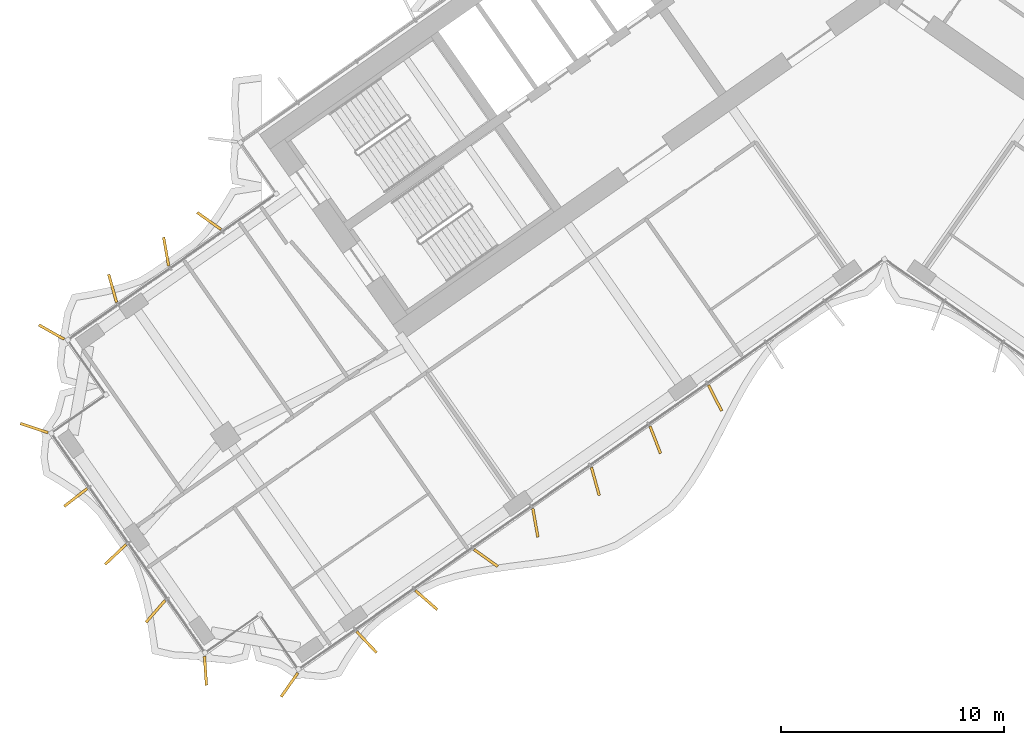
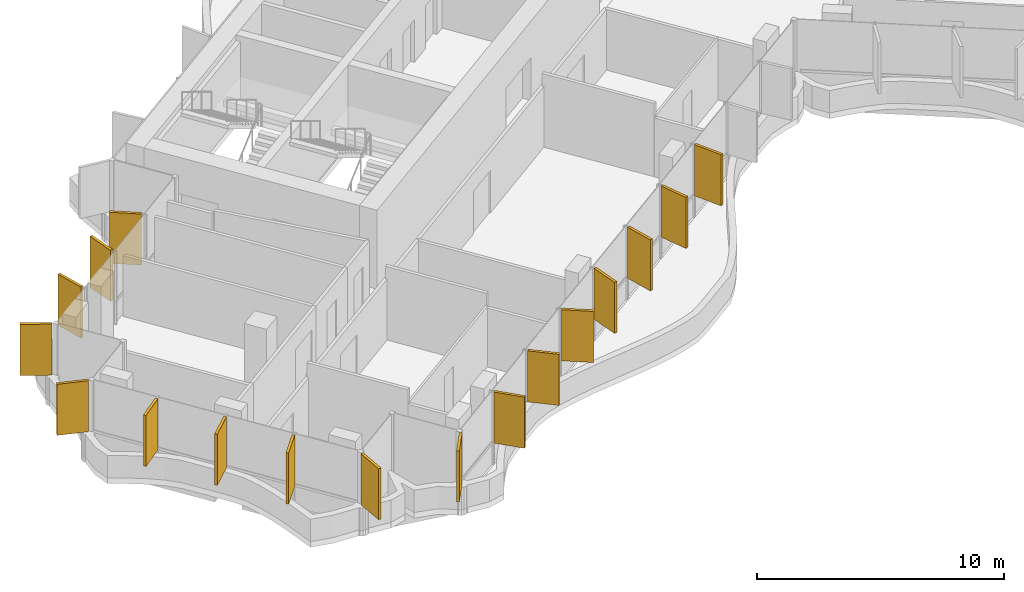
# One storey, part 19 of 23: 17 shading devices.
"""IFC4 building model written with IfcOpenShell, lengths in metres."""

import ifcopenshell
import ifcopenshell.guid

model = None  # the IFC model being written
_history = None  # IfcOwnerHistory: only IFC2X3 demands one
_inside = {}  # id of a spatial element -> (the spatial element, [elements in it])
_under = {}  # id of a project, library or spatial element -> (it, [spatial elements below it])
_declared = {}  # id of a project -> (the project, [libraries it declares])
_typed = {}  # id of a type object -> (the type object, [elements of that type])
_made_of = {}  # id of a material, layer set ... -> (it, [elements and type objects made of it])


def new_model(schema):
    """Start an empty IFC model of exactly this schema.

    Asked for "IFC4X3", IfcOpenShell would pick the latest addendum, in which some entities
    have other attributes; the version numbers below select the first issue.
    IFC2X3 requires an IfcOwnerHistory on every rooted entity: one is made here for all.
    """
    global model, _history
    if schema == "IFC4X3":
        model = ifcopenshell.file(schema_version=(4, 3, 0, 0))
    else:
        model = ifcopenshell.file(schema=schema)
    _inside.clear()
    _under.clear()
    _declared.clear()
    _typed.clear()
    _made_of.clear()
    _history = None
    if model.schema == "IFC2X3":
        org = make("IfcOrganization", Name="unknown")
        user = make(
            "IfcPersonAndOrganization",
            ThePerson=make("IfcPerson", FamilyName="unknown"),
            TheOrganization=org,
        )
        app = make(
            "IfcApplication",
            ApplicationDeveloper=org,
            Version="unknown",
            ApplicationFullName="unknown",
            ApplicationIdentifier="unknown",
        )
        _history = make(
            "IfcOwnerHistory",
            OwningUser=user,
            OwningApplication=app,
            ChangeAction="ADDED",
            CreationDate=0,
        )
    return model


def make(cls, **values):
    """One entity of the class cls with the attributes given. An attribute that is None is left unset."""
    return model.create_entity(
        cls, **{name: value for name, value in values.items() if value is not None}
    )


def rooted(cls, **values):
    """An entity with a GlobalId (a new one), such as an element, a storey or a relation."""
    return make(cls, GlobalId=ifcopenshell.guid.new(), OwnerHistory=_history, **values)


def si_unit(unit_type, name, prefix=None):
    """IfcSIUnit, for example si_unit("LENGTHUNIT", "METRE", prefix="MILLI")."""
    return make("IfcSIUnit", UnitType=unit_type, Prefix=prefix, Name=name)


def assignment(units):
    """IfcUnitAssignment: the units of a project."""
    return None if units is None else make("IfcUnitAssignment", Units=units)


def point(xyz):
    """IfcCartesianPoint."""
    return None if xyz is None else make("IfcCartesianPoint", Coordinates=xyz)


def direction(xyz):
    """IfcDirection."""
    return None if xyz is None else make("IfcDirection", DirectionRatios=xyz)


def frame(location, z_axis=None, x_axis=None):
    """IfcAxis2Placement3D, a coordinate frame: its origin and axes. An axis left out is left unset."""
    return make(
        "IfcAxis2Placement3D",
        Location=point(location),
        Axis=direction(z_axis),
        RefDirection=direction(x_axis),
    )


def frame_2d(location, x_axis=None):
    """IfcAxis2Placement2D, a coordinate frame in the plane: its origin and x axis."""
    return make(
        "IfcAxis2Placement2D", Location=point(location), RefDirection=direction(x_axis)
    )


def origin():
    """The frame at (0, 0, 0) with its axes left unset."""
    return frame((0.0, 0.0, 0.0))


def origin_2d():
    """The frame at (0, 0) in the plane with its x axis left unset."""
    return frame_2d((0.0, 0.0))


def place(relative_to, where):
    """IfcLocalPlacement: puts the frame where relative to a parent placement (None: the world)."""
    return make(
        "IfcLocalPlacement", PlacementRelTo=relative_to, RelativePlacement=where
    )


def context(
    kind, dimensions, precision=None, world=None, true_north=None, identifier=None
):
    """IfcGeometricRepresentationContext, for example the 3D "Model" context."""
    return make(
        "IfcGeometricRepresentationContext",
        ContextIdentifier=identifier,
        ContextType=kind,
        CoordinateSpaceDimension=dimensions,
        Precision=precision,
        WorldCoordinateSystem=world,
        TrueNorth=true_north,
    )


def subcontext(parent, identifier, kind, view, scale=None):
    """IfcGeometricRepresentationSubContext, for example "Body" below "Model"."""
    return make(
        "IfcGeometricRepresentationSubContext",
        ContextIdentifier=identifier,
        ContextType=kind,
        ParentContext=parent,
        TargetScale=scale,
        TargetView=view,
    )


def project(units=None, contexts=None):
    """IfcProject with its units and contexts."""
    return rooted(
        "IfcProject",
        Name="project",
        RepresentationContexts=contexts,
        UnitsInContext=assignment(units),
    )


def spatial(cls, under=None, at=None, **own):
    """A site, building, storey or space (cls), placed at a placement, below another one or the project."""
    s = rooted(cls, ObjectPlacement=at, **own)
    if under is not None:
        _under.setdefault(under.id(), (under, []))[1].append(s)
    return s


def profile(cls, at=None, kind="AREA", **sizes):
    """A parametric profile (cls). Its sizes go by their IFC names, for example OverallWidth=200.0."""
    return make(cls, ProfileType=kind, Position=at, **sizes)


def rectangle(**sizes):
    """IfcRectangleProfileDef."""
    return profile("IfcRectangleProfileDef", **sizes)


def extrude(swept, where, along, depth):
    """IfcExtrudedAreaSolid: the profile swept, set in the frame where, extruded along a direction by depth."""
    return make(
        "IfcExtrudedAreaSolid",
        SweptArea=swept,
        Position=where,
        ExtrudedDirection=direction(along),
        Depth=depth,
    )


def shape(context_of_items, identifier, shape_type, items):
    """IfcShapeRepresentation: the items that make up one representation, for example the "Body"."""
    return make(
        "IfcShapeRepresentation",
        ContextOfItems=context_of_items,
        RepresentationIdentifier=identifier,
        RepresentationType=shape_type,
        Items=items,
    )


def material(Name=None, Category=None):
    """IfcMaterial."""
    return make("IfcMaterial", Name=Name, Category=Category)


def layer(
    of_material, thickness, ventilated=None, Name=None, Category=None, Priority=None
):
    """IfcMaterialLayer: one layer of a wall or slab, of a material (None: an air gap)."""
    return make(
        "IfcMaterialLayer",
        Material=of_material,
        LayerThickness=thickness,
        IsVentilated=ventilated,
        Name=Name,
        Category=Category,
        Priority=Priority,
    )


def layer_set(layers, Name=None):
    """IfcMaterialLayerSet."""
    return make("IfcMaterialLayerSet", MaterialLayers=layers, LayerSetName=Name)


def made_of(thing, what):
    """Note that an element or type object is made of a material, layer set ...; save() writes the relation."""
    if what is not None:
        _made_of.setdefault(what.id(), (what, []))[1].append(thing)
    return thing


def type_object(cls, material=None, **own):
    """A type object (cls), such as IfcWallType, which elements share."""
    return made_of(rooted(cls, **own), material)


def element(
    cls,
    number,
    at=None,
    inside=None,
    cuts=None,
    type_object=None,
    material=None,
    context=None,
    identifier="Body",
    shape_type=None,
    held_by="IfcProductDefinitionShape",
    body=None,
    shapes=None,
    **own,
):
    """One element of the class cls, such as IfcWall. Its Tag is "e" and its number.

    at: its placement. inside: the storey or other place that contains it. cuts: it is an
    opening in that element (IfcRelVoidsElement). A single representation is given by context,
    identifier, shape_type and body (its items); several are given by shapes. held_by: the class
    of the entity that holds the representations. save() writes the other relations.
    """
    e = rooted(cls, Tag="e%d" % number, ObjectPlacement=at, **own)
    if body is not None:
        shapes = [shape(context, identifier, shape_type, body)]
    if shapes is not None:
        e.Representation = make(held_by, Representations=shapes)
    if inside is not None:
        _inside.setdefault(inside.id(), (inside, []))[1].append(e)
    if cuts is not None:
        rooted(
            "IfcRelVoidsElement", RelatingBuildingElement=cuts, RelatedOpeningElement=e
        )
    if type_object is not None:
        _typed.setdefault(type_object.id(), (type_object, []))[1].append(e)
    return made_of(e, material)


def aggregate(whole, parts):
    """IfcRelAggregates: a whole, such as a stair, and the parts it consists of."""
    return rooted("IfcRelAggregates", RelatingObject=whole, RelatedObjects=parts)


def save(model, path):
    """Write the relations noted so far, then the file.

    IfcRelAggregates (storeys below a building ...), IfcRelContainedInSpatialStructure (elements
    in a storey), IfcRelDefinesByType, IfcRelAssociatesMaterial and IfcRelDeclares: one each for
    every whole, place, type object, material and project.
    """
    for whole, parts in _under.values():
        aggregate(whole, parts)
    for where, things in _inside.values():
        rooted(
            "IfcRelContainedInSpatialStructure",
            RelatedElements=things,
            RelatingStructure=where,
        )
    for kind, things in _typed.values():
        rooted("IfcRelDefinesByType", RelatedObjects=things, RelatingType=kind)
    for what, things in _made_of.values():
        rooted("IfcRelAssociatesMaterial", RelatedObjects=things, RelatingMaterial=what)
    for by, libraries in _declared.values():
        rooted("IfcRelDeclares", RelatingContext=by, RelatedDefinitions=libraries)
    model.write(path)


model = new_model("IFC4")

# Units and contexts
model_context = context("Model", 3, precision=1e-05, world=origin(), true_north=direction((0.0, 1.0)))
body_context = subcontext(model_context, "Body", "Model", "MODEL_VIEW")
ifc_project = project(units=[si_unit("LENGTHUNIT", "METRE"), si_unit("AREAUNIT", "SQUARE_METRE"), si_unit("VOLUMEUNIT", "CUBIC_METRE"), si_unit("PLANEANGLEUNIT", "RADIAN"), si_unit("MASSUNIT", "GRAM", prefix="KILO")], contexts=[model_context])

# Site, building, storey
site_placement = place(None, origin())
site = spatial("IfcSite", under=ifc_project, at=site_placement, CompositionType="ELEMENT")
building_placement = place(site_placement, origin())
building = spatial("IfcBuilding", under=site, at=building_placement, Name="Tel Ilan Convention Tower", CompositionType="ELEMENT")
storey_placement = place(building_placement, frame((0.0, 0.0, 171.0)))
storey = spatial("IfcBuildingStorey", under=building, at=storey_placement, Name="L39", CompositionType="ELEMENT", Elevation=171.0)

# Shading devices
ifc_material = material(Name="Aluminium, bronze anodised", Category="aluminium")
ifc_layer = layer(ifc_material, 0.1201171875)
ifc_layer_set = layer_set([ifc_layer], Name="FIN BRONZE 1300x120")
shading_device_type = type_object("IfcShadingDeviceType", Name="FIN BRONZE 1300x120", PredefinedType="USERDEFINED", material=ifc_layer_set)
for number, where, z_axis, x_axis, name in (
    (1, (-30.227294921875, -10.993408203125, 1.10009765625), (0.0, 0.0, 1.0), (-0.813552070258, 0.581492071294, 0.0), "FIN"),
    (2, (-32.149169921875, -12.361572265625, 1.10009765625), (0.0, 0.0, 1.0), (-0.173648177667, 0.984807753012, 0.0), "FIN"),
    (3, (-34.5419921875, -14.0146484375, 1.10009765625), (0.0, 0.0, 1.0), (-0.268172612768, 0.963370878614, 0.0), "FIN"),
    (4, (-37.2763671875, -15.968505859375, 1.10009765625), (0.0, 0.0, 1.0), (-0.870832754082, 0.491579408049, 0.0), "FIN"),
    (5, (-38.052978515625, -20.263671875, 1.10009765625), (0.0, 0.0, 1.0), (-0.949242643575, 0.314544756146, 0.0), "FIN"),
    (6, (-36.194091796875, -23.36767578125, 1.10009765625), (0.0, 0.0, 1.0), (-0.790392669516, -0.612600545196, 0.0), "FIN"),
    (7, (-34.408447265625, -25.917236328125, 1.10009765625), (0.0, 0.0, 1.0), (-0.727373641577, -0.686241637865, 0.0), "FIN"),
    (8, (-32.618408203125, -28.462646484375, 1.10009765625), (0.0, 0.0, 1.0), (-0.657521368568, -0.753435896329, 0.0), "FIN"),
    (9, (-30.388671875, -31.12548828125, 1.10009765625), (0.0, 0.0, 1.0), (0.067821812994, -0.997697449973, 0.0), "FIN"),
    (10, (-26.629150390625, -31.7568359375, 1.10009765625), (0.0, 0.0, 1.0), (-0.573576436351, -0.819152044289, 0.0), "FIN"),
    (11, (-23.176025390625, -29.84130859375, 1.10009765625), (0.0, 0.0, 1.0), (0.686241637865, -0.727373641577, 0.0), "FIN"),
    (12, (-20.50390625, -27.96240234375, 1.10009765625), (0.0, 0.0, 1.0), (0.753435896329, -0.657521368568, 0.0), "FIN"),
    (13, (-17.83642578125, -26.079345703125, 1.10009765625), (0.0, 0.0, 1.0), (0.813552070258, -0.581492071294, 0.0), "FIN"),
    (14, (-15.6240234375, -24.5078125, 1.10009765625), (0.0, 0.0, 1.0), (0.173648177667, -0.984807753012, 0.0), "FIN"),
    (15, (-12.9404296875, -22.651123046875, 1.10009765625), (0.0, 0.0, 1.0), (0.268172612768, -0.963370878614, 0.0), "FIN"),
    (16, (-10.2587890625, -20.78857421875, 1.10009765625), (0.0, 0.0, 1.0), (0.360177724803, -0.932883704733, 0.0), "FIN"),
    (17, (-7.5791015625, -18.920166015625, 1.10009765625), (0.0, 0.0, 1.0), (0.448799180206, -0.893632640321, 0.0), "FIN"),
):
    element("IfcShadingDevice", number, at=place(storey_placement, frame(where, z_axis=z_axis, x_axis=x_axis)), inside=storey, type_object=shading_device_type, Name=name, ObjectType="FIN", PredefinedType="USERDEFINED", context=body_context, shape_type="SweptSolid", body=[
        extrude(rectangle(XDim=1.300048828125, YDim=0.1201171875, at=origin_2d()), origin(), (0.0, 0.0, 1.0), 2.52001953125),
    ])

save(model, "model.ifc")
